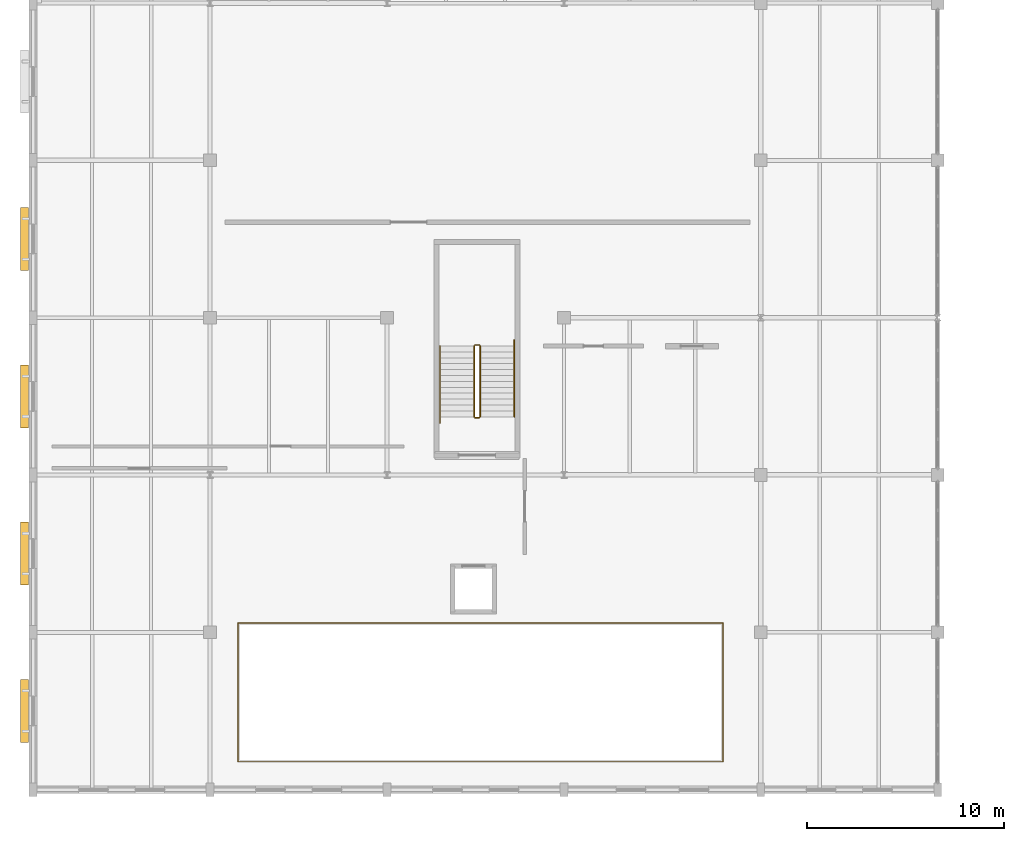
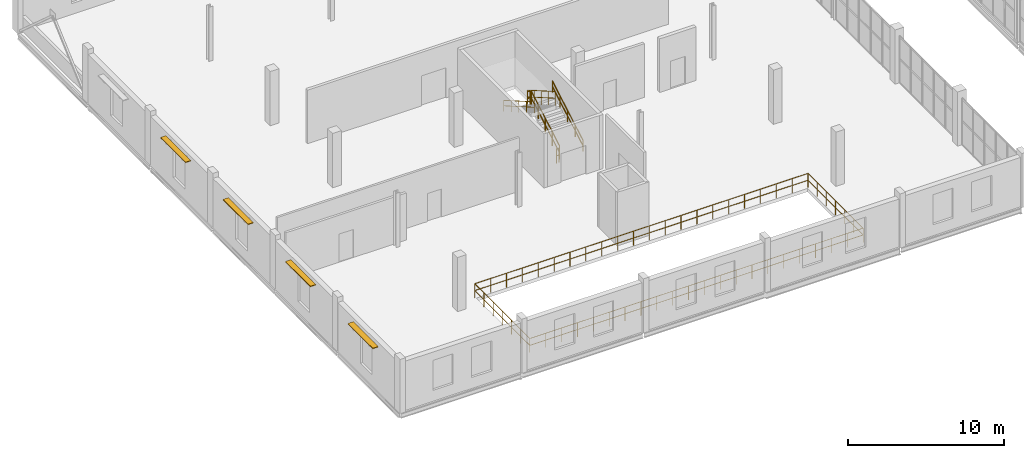
# One storey, part 74 of 85: 7 railings, 4 shading devices.
"""IFC4 building model written with IfcOpenShell, lengths in metres."""

from ifc_helpers import new_model, si_unit, direction, frame, origin, origin_2d, place, context, subcontext, project, spatial, rectangle, circle, extrude, material, layer, layer_set, type_object, element, save


model = new_model("IFC4")

# Units and contexts
model_context = context("Model", 3, precision=1e-05, world=origin(), true_north=direction((0.0, 1.0)))
body_context = subcontext(model_context, "Body", "Model", "MODEL_VIEW")
ifc_project = project(units=[si_unit("LENGTHUNIT", "METRE"), si_unit("AREAUNIT", "SQUARE_METRE"), si_unit("VOLUMEUNIT", "CUBIC_METRE"), si_unit("PLANEANGLEUNIT", "RADIAN"), si_unit("MASSUNIT", "GRAM", prefix="KILO")], contexts=[model_context])

# Site, building, storey
site_placement = place(None, origin())
site = spatial("IfcSite", under=ifc_project, at=site_placement, CompositionType="ELEMENT")
building_placement = place(site_placement, origin())
building = spatial("IfcBuilding", under=site, at=building_placement, Name="Marnock Terrace Opera House", CompositionType="ELEMENT")
storey_placement = place(building_placement, frame((0.0, 0.0, 10.199951171875)))
storey = spatial("IfcBuildingStorey", under=building, at=storey_placement, Name="L02", CompositionType="ELEMENT", Elevation=10.199951171875)

# Railings
ifc_material_1 = material(Name="Architectural bronze balustrade")
railing_type_1 = type_object("IfcRailingType", Name="RL-ATRIUM-1120", PredefinedType="BALUSTRADE", material=ifc_material_1)
railing_1_placement = place(storey_placement, frame((10.419921875, 9.419921875, 0.0)))
element("IfcRailing", 1, at=railing_1_placement, inside=storey, type_object=railing_type_1, Name="L02 floor opening balustrade CHAM-VOID-1", PredefinedType="BALUSTRADE", context=body_context, shape_type="SweptSolid", body=[
    extrude(circle(Radius=0.02392578125, at=origin_2d()), frame((0.0, 0.0, 1.09619140625), z_axis=(1.0, 0.0, 0.0), x_axis=(0.0, 1.0, 0.0)), (0.0, 0.0, 1.0), 24.66015625),
    extrude(circle(Radius=0.02392578125, at=origin_2d()), frame((0.0, 0.0, 0.56005859375), z_axis=(1.0, 0.0, 0.0), x_axis=(0.0, 1.0, 0.0)), (0.0, 0.0, 1.0), 24.66015625),
    extrude(circle(Radius=0.02392578125, at=origin_2d()), frame((24.66015625, 0.0, 1.09619140625), z_axis=(0.0, 1.0, 0.0), x_axis=(-1.0, 0.0, 0.0)), (0.0, 0.0, 1.0), 7.06005859375),
    extrude(circle(Radius=0.02392578125, at=origin_2d()), frame((24.66015625, 0.0, 0.56005859375), z_axis=(0.0, 1.0, 0.0), x_axis=(-1.0, 0.0, 0.0)), (0.0, 0.0, 1.0), 7.06005859375),
    extrude(circle(Radius=0.02392578125, at=origin_2d()), frame((24.66015625, 7.06005859375, 1.09619140625), z_axis=(-1.0, 0.0, 0.0), x_axis=(0.0, -1.0, 0.0)), (0.0, 0.0, 1.0), 24.66015625),
    extrude(circle(Radius=0.02392578125, at=origin_2d()), frame((24.66015625, 7.06005859375, 0.56005859375), z_axis=(-1.0, 0.0, 0.0), x_axis=(0.0, -1.0, 0.0)), (0.0, 0.0, 1.0), 24.66015625),
    extrude(circle(Radius=0.02392578125, at=origin_2d()), frame((0.0, 7.06005859375, 1.09619140625), z_axis=(0.0, -1.0, 0.0), x_axis=(1.0, 0.0, 0.0)), (0.0, 0.0, 1.0), 7.06005859375),
    extrude(circle(Radius=0.02392578125, at=origin_2d()), frame((0.0, 7.06005859375, 0.56005859375), z_axis=(0.0, -1.0, 0.0), x_axis=(1.0, 0.0, 0.0)), (0.0, 0.0, 1.0), 7.06005859375),
    extrude(circle(Radius=0.02099609375, at=origin_2d()), origin(), (0.0, 0.0, 1.0), 1.072021484375),
    extrude(circle(Radius=0.02099609375, at=origin_2d()), frame((1.17431640625, 0.0, 0.0)), (0.0, 0.0, 1.0), 1.072021484375),
    extrude(circle(Radius=0.02099609375, at=origin_2d()), frame((2.3486328125, 0.0, 0.0)), (0.0, 0.0, 1.0), 1.072021484375),
    extrude(circle(Radius=0.02099609375, at=origin_2d()), frame((3.52294921875, 0.0, 0.0)), (0.0, 0.0, 1.0), 1.072021484375),
    extrude(circle(Radius=0.02099609375, at=origin_2d()), frame((4.697265625, 0.0, 0.0)), (0.0, 0.0, 1.0), 1.072021484375),
    extrude(circle(Radius=0.02099609375, at=origin_2d()), frame((5.87158203125, 0.0, 0.0)), (0.0, 0.0, 1.0), 1.072021484375),
    extrude(circle(Radius=0.02099609375, at=origin_2d()), frame((7.045654296875, 0.0, 0.0)), (0.0, 0.0, 1.0), 1.072021484375),
    extrude(circle(Radius=0.02099609375, at=origin_2d()), frame((8.219970703125, 0.0, 0.0)), (0.0, 0.0, 1.0), 1.072021484375),
    extrude(circle(Radius=0.02099609375, at=origin_2d()), frame((9.394287109375, 0.0, 0.0)), (0.0, 0.0, 1.0), 1.072021484375),
    extrude(circle(Radius=0.02099609375, at=origin_2d()), frame((10.568603515625, 0.0, 0.0)), (0.0, 0.0, 1.0), 1.072021484375),
    extrude(circle(Radius=0.02099609375, at=origin_2d()), frame((11.742919921875, 0.0, 0.0)), (0.0, 0.0, 1.0), 1.072021484375),
    extrude(circle(Radius=0.02099609375, at=origin_2d()), frame((12.917236328125, 0.0, 0.0)), (0.0, 0.0, 1.0), 1.072021484375),
    extrude(circle(Radius=0.02099609375, at=origin_2d()), frame((14.091552734375, 0.0, 0.0)), (0.0, 0.0, 1.0), 1.072021484375),
    extrude(circle(Radius=0.02099609375, at=origin_2d()), frame((15.265869140625, 0.0, 0.0)), (0.0, 0.0, 1.0), 1.072021484375),
    extrude(circle(Radius=0.02099609375, at=origin_2d()), frame((16.440185546875, 0.0, 0.0)), (0.0, 0.0, 1.0), 1.072021484375),
    extrude(circle(Radius=0.02099609375, at=origin_2d()), frame((17.614501953125, 0.0, 0.0)), (0.0, 0.0, 1.0), 1.072021484375),
    extrude(circle(Radius=0.02099609375, at=origin_2d()), frame((18.78857421875, 0.0, 0.0)), (0.0, 0.0, 1.0), 1.072021484375),
    extrude(circle(Radius=0.02099609375, at=origin_2d()), frame((19.962890625, 0.0, 0.0)), (0.0, 0.0, 1.0), 1.072021484375),
    extrude(circle(Radius=0.02099609375, at=origin_2d()), frame((21.13720703125, 0.0, 0.0)), (0.0, 0.0, 1.0), 1.072021484375),
    extrude(circle(Radius=0.02099609375, at=origin_2d()), frame((22.3115234375, 0.0, 0.0)), (0.0, 0.0, 1.0), 1.072021484375),
    extrude(circle(Radius=0.02099609375, at=origin_2d()), frame((23.48583984375, 0.0, 0.0)), (0.0, 0.0, 1.0), 1.072021484375),
    extrude(circle(Radius=0.02099609375, at=origin_2d()), frame((24.66015625, 0.0, 0.0)), (0.0, 0.0, 1.0), 1.072021484375),
    extrude(circle(Radius=0.02099609375, at=origin_2d()), frame((24.66015625, 1.1767578125, 0.0)), (0.0, 0.0, 1.0), 1.072021484375),
    extrude(circle(Radius=0.02099609375, at=origin_2d()), frame((24.66015625, 2.353271484375, 0.0)), (0.0, 0.0, 1.0), 1.072021484375),
    extrude(circle(Radius=0.02099609375, at=origin_2d()), frame((24.66015625, 3.530029296875, 0.0)), (0.0, 0.0, 1.0), 1.072021484375),
    extrude(circle(Radius=0.02099609375, at=origin_2d()), frame((24.66015625, 4.706787109375, 0.0)), (0.0, 0.0, 1.0), 1.072021484375),
    extrude(circle(Radius=0.02099609375, at=origin_2d()), frame((24.66015625, 5.88330078125, 0.0)), (0.0, 0.0, 1.0), 1.072021484375),
    extrude(circle(Radius=0.02099609375, at=origin_2d()), frame((24.66015625, 7.06005859375, 0.0)), (0.0, 0.0, 1.0), 1.072021484375),
    extrude(circle(Radius=0.02099609375, at=origin_2d()), frame((23.48583984375, 7.06005859375, 0.0)), (0.0, 0.0, 1.0), 1.072021484375),
    extrude(circle(Radius=0.02099609375, at=origin_2d()), frame((22.3115234375, 7.06005859375, 0.0)), (0.0, 0.0, 1.0), 1.072021484375),
    extrude(circle(Radius=0.02099609375, at=origin_2d()), frame((21.13720703125, 7.06005859375, 0.0)), (0.0, 0.0, 1.0), 1.072021484375),
    extrude(circle(Radius=0.02099609375, at=origin_2d()), frame((19.962890625, 7.06005859375, 0.0)), (0.0, 0.0, 1.0), 1.072021484375),
    extrude(circle(Radius=0.02099609375, at=origin_2d()), frame((18.78857421875, 7.06005859375, 0.0)), (0.0, 0.0, 1.0), 1.072021484375),
    extrude(circle(Radius=0.02099609375, at=origin_2d()), frame((17.614501953125, 7.06005859375, 0.0)), (0.0, 0.0, 1.0), 1.072021484375),
    extrude(circle(Radius=0.02099609375, at=origin_2d()), frame((16.440185546875, 7.06005859375, 0.0)), (0.0, 0.0, 1.0), 1.072021484375),
    extrude(circle(Radius=0.02099609375, at=origin_2d()), frame((15.265869140625, 7.06005859375, 0.0)), (0.0, 0.0, 1.0), 1.072021484375),
    extrude(circle(Radius=0.02099609375, at=origin_2d()), frame((14.091552734375, 7.06005859375, 0.0)), (0.0, 0.0, 1.0), 1.072021484375),
    extrude(circle(Radius=0.02099609375, at=origin_2d()), frame((12.917236328125, 7.06005859375, 0.0)), (0.0, 0.0, 1.0), 1.072021484375),
    extrude(circle(Radius=0.02099609375, at=origin_2d()), frame((11.742919921875, 7.06005859375, 0.0)), (0.0, 0.0, 1.0), 1.072021484375),
    extrude(circle(Radius=0.02099609375, at=origin_2d()), frame((10.568603515625, 7.06005859375, 0.0)), (0.0, 0.0, 1.0), 1.072021484375),
    extrude(circle(Radius=0.02099609375, at=origin_2d()), frame((9.394287109375, 7.06005859375, 0.0)), (0.0, 0.0, 1.0), 1.072021484375),
    extrude(circle(Radius=0.02099609375, at=origin_2d()), frame((8.219970703125, 7.06005859375, 0.0)), (0.0, 0.0, 1.0), 1.072021484375),
    extrude(circle(Radius=0.02099609375, at=origin_2d()), frame((7.045654296875, 7.06005859375, 0.0)), (0.0, 0.0, 1.0), 1.072021484375),
    extrude(circle(Radius=0.02099609375, at=origin_2d()), frame((5.87158203125, 7.06005859375, 0.0)), (0.0, 0.0, 1.0), 1.072021484375),
    extrude(circle(Radius=0.02099609375, at=origin_2d()), frame((4.697265625, 7.06005859375, 0.0)), (0.0, 0.0, 1.0), 1.072021484375),
    extrude(circle(Radius=0.02099609375, at=origin_2d()), frame((3.52294921875, 7.06005859375, 0.0)), (0.0, 0.0, 1.0), 1.072021484375),
    extrude(circle(Radius=0.02099609375, at=origin_2d()), frame((2.3486328125, 7.06005859375, 0.0)), (0.0, 0.0, 1.0), 1.072021484375),
    extrude(circle(Radius=0.02099609375, at=origin_2d()), frame((1.17431640625, 7.06005859375, 0.0)), (0.0, 0.0, 1.0), 1.072021484375),
    extrude(circle(Radius=0.02099609375, at=origin_2d()), frame((0.0, 7.06005859375, 0.0)), (0.0, 0.0, 1.0), 1.072021484375),
    extrude(circle(Radius=0.02099609375, at=origin_2d()), frame((0.0, 5.88330078125, 0.0)), (0.0, 0.0, 1.0), 1.072021484375),
    extrude(circle(Radius=0.02099609375, at=origin_2d()), frame((0.0, 4.706787109375, 0.0)), (0.0, 0.0, 1.0), 1.072021484375),
    extrude(circle(Radius=0.02099609375, at=origin_2d()), frame((0.0, 3.530029296875, 0.0)), (0.0, 0.0, 1.0), 1.072021484375),
    extrude(circle(Radius=0.02099609375, at=origin_2d()), frame((0.0, 2.353271484375, 0.0)), (0.0, 0.0, 1.0), 1.072021484375),
    extrude(circle(Radius=0.02099609375, at=origin_2d()), frame((0.0, 1.1767578125, 0.0)), (0.0, 0.0, 1.0), 1.072021484375),
])
railing_type_2 = type_object("IfcRailingType", Name="RL-GUARD-1100", PredefinedType="GUARDRAIL", material=ifc_material_1)
railing_2_placement = place(storey_placement, frame((22.72998046875, 26.9599609375, 0.173095703125)))
element("IfcRailing", 2, at=railing_2_placement, inside=storey, type_object=railing_type_2, Name="L02 ST-05 stair guard 1", PredefinedType="GUARDRAIL", context=body_context, shape_type="SweptSolid", body=[
    extrude(circle(Radius=0.02392578125, at=origin_2d()), frame((0.0, 0.0, 1.076171875), z_axis=(0.0, 0.866193409371, 0.499708892819), x_axis=(-1.0, 0.0, 0.0)), (0.0, 0.0, 1.0), 4.15625),
    extrude(circle(Radius=0.02392578125, at=origin_2d()), frame((0.0, 0.0, 0.550048828125), z_axis=(0.0, 0.866193409371, 0.499708892819), x_axis=(-1.0, 0.0, 0.0)), (0.0, 0.0, 1.0), 4.15625),
    extrude(circle(Radius=0.02099609375, at=origin_2d()), origin(), (0.0, 0.0, 1.0), 1.052001953125),
    extrude(circle(Radius=0.02099609375, at=origin_2d()), frame((0.0, 0.89990234375, 0.519287109375)), (0.0, 0.0, 1.0), 1.052001953125),
    extrude(circle(Radius=0.02099609375, at=origin_2d()), frame((0.0, 1.800048828125, 1.03857421875)), (0.0, 0.0, 1.0), 1.052001953125),
    extrude(circle(Radius=0.02099609375, at=origin_2d()), frame((0.0, 2.7001953125, 1.5576171875)), (0.0, 0.0, 1.0), 1.052001953125),
    extrude(circle(Radius=0.02099609375, at=origin_2d()), frame((0.0, 3.60009765625, 2.076904296875)), (0.0, 0.0, 1.0), 1.052001953125),
])
railing_3_placement = place(storey_placement, frame((22.679931640625, 30.610107421875, 2.25)))
element("IfcRailing", 3, at=railing_3_placement, inside=storey, type_object=railing_type_2, Name="L02 ST-05 stair guard 2", PredefinedType="GUARDRAIL", context=body_context, shape_type="SweptSolid", body=[
    extrude(circle(Radius=0.02392578125, at=origin_2d()), frame((0.0, 0.0, 1.076171875), z_axis=(-1.0, 0.0, 0.0), x_axis=(0.0, -1.0, 0.0)), (0.0, 0.0, 1.0), 0.199951171875),
    extrude(circle(Radius=0.02392578125, at=origin_2d()), frame((0.0, 0.0, 0.550048828125), z_axis=(-1.0, 0.0, 0.0), x_axis=(0.0, -1.0, 0.0)), (0.0, 0.0, 1.0), 0.199951171875),
    extrude(circle(Radius=0.02099609375, at=origin_2d()), origin(), (0.0, 0.0, 1.0), 1.052001953125),
    extrude(circle(Radius=0.02099609375, at=origin_2d()), frame((-0.199951171875, 0.0, 0.0)), (0.0, 0.0, 1.0), 1.052001953125),
])
railing_4_placement = place(storey_placement, frame((22.429931640625, 30.56005859375, 2.423095703125)))
element("IfcRailing", 4, at=railing_4_placement, inside=storey, type_object=railing_type_2, Name="L02 ST-05 stair guard 3", PredefinedType="GUARDRAIL", context=body_context, shape_type="SweptSolid", body=[
    extrude(circle(Radius=0.02392578125, at=origin_2d()), frame((0.0, 0.0, 1.076171875), z_axis=(0.0, -0.866193409371, 0.499708892819), x_axis=(1.0, 0.0, 0.0)), (0.0, 0.0, 1.0), 4.15625),
    extrude(circle(Radius=0.02392578125, at=origin_2d()), frame((0.0, 0.0, 0.550048828125), z_axis=(0.0, -0.866193409371, 0.499708892819), x_axis=(1.0, 0.0, 0.0)), (0.0, 0.0, 1.0), 4.15625),
    extrude(circle(Radius=0.02099609375, at=origin_2d()), origin(), (0.0, 0.0, 1.0), 1.052001953125),
    extrude(circle(Radius=0.02099609375, at=origin_2d()), frame((0.0, -0.89990234375, 0.519287109375)), (0.0, 0.0, 1.0), 1.052001953125),
    extrude(circle(Radius=0.02099609375, at=origin_2d()), frame((0.0, -1.800048828125, 1.03857421875)), (0.0, 0.0, 1.0), 1.052001953125),
    extrude(circle(Radius=0.02099609375, at=origin_2d()), frame((0.0, -2.7001953125, 1.5576171875)), (0.0, 0.0, 1.0), 1.052001953125),
    extrude(circle(Radius=0.02099609375, at=origin_2d()), frame((0.0, -3.60009765625, 2.076904296875)), (0.0, 0.0, 1.0), 1.052001953125),
])
railing_5_placement = place(storey_placement, frame((22.679931640625, 26.909912109375, 0.0)))
element("IfcRailing", 5, at=railing_5_placement, inside=storey, type_object=railing_type_2, Name="L02 ST-05 stair guard 4", PredefinedType="GUARDRAIL", context=body_context, shape_type="SweptSolid", body=[
    extrude(circle(Radius=0.02392578125, at=origin_2d()), frame((0.0, 0.0, 1.076171875), z_axis=(-1.0, 0.0, 0.0), x_axis=(0.0, -1.0, 0.0)), (0.0, 0.0, 1.0), 0.199951171875),
    extrude(circle(Radius=0.02392578125, at=origin_2d()), frame((0.0, 0.0, 0.550048828125), z_axis=(-1.0, 0.0, 0.0), x_axis=(0.0, -1.0, 0.0)), (0.0, 0.0, 1.0), 0.199951171875),
    extrude(circle(Radius=0.02099609375, at=origin_2d()), origin(), (0.0, 0.0, 1.0), 1.052001953125),
    extrude(circle(Radius=0.02099609375, at=origin_2d()), frame((-0.199951171875, 0.0, 0.0)), (0.0, 0.0, 1.0), 1.052001953125),
])
railing_type_3 = type_object("IfcRailingType", Name="RL-HAND-900", PredefinedType="HANDRAIL", material=ifc_material_1)
railing_6_placement = place(storey_placement, frame((24.469970703125, 26.9599609375, 0.18505859375)))
element("IfcRailing", 6, at=railing_6_placement, inside=storey, type_object=railing_type_3, Name="L02 ST-05 stair handrail 1", PredefinedType="HANDRAIL", context=body_context, shape_type="SweptSolid", body=[
    extrude(circle(Radius=0.02392578125, at=origin_2d()), frame((0.0, 0.0, 0.8759765625), z_axis=(0.0, 0.866193710181, 0.499708371395), x_axis=(-1.0, 0.0, 0.0)), (0.0, 0.0, 1.0), 4.502685546875),
    extrude(circle(Radius=0.02392578125, at=origin_2d()), frame((0.0, 0.0, 0.449951171875), z_axis=(0.0, 0.866193710181, 0.499708371395), x_axis=(-1.0, 0.0, 0.0)), (0.0, 0.0, 1.0), 4.502685546875),
    extrude(circle(Radius=0.02099609375, at=origin_2d()), origin(), (0.0, 0.0, 1.0), 0.851806640625),
    extrude(circle(Radius=0.02099609375, at=origin_2d()), frame((0.0, 0.97509765625, 0.5625)), (0.0, 0.0, 1.0), 0.851806640625),
    extrude(circle(Radius=0.02099609375, at=origin_2d()), frame((0.0, 1.9501953125, 1.125)), (0.0, 0.0, 1.0), 0.851806640625),
    extrude(circle(Radius=0.02099609375, at=origin_2d()), frame((0.0, 2.925048828125, 1.6875)), (0.0, 0.0, 1.0), 0.851806640625),
    extrude(circle(Radius=0.02099609375, at=origin_2d()), frame((0.0, 3.900146484375, 2.25)), (0.0, 0.0, 1.0), 0.851806640625),
])
railing_7_placement = place(storey_placement, frame((20.68994140625, 30.56005859375, 2.43505859375)))
element("IfcRailing", 7, at=railing_7_placement, inside=storey, type_object=railing_type_3, Name="L02 ST-05 stair handrail 2", PredefinedType="HANDRAIL", context=body_context, shape_type="SweptSolid", body=[
    extrude(circle(Radius=0.02392578125, at=origin_2d()), frame((0.0, 0.0, 0.8759765625), z_axis=(0.0, -0.866193710181, 0.499708371395), x_axis=(1.0, 0.0, 0.0)), (0.0, 0.0, 1.0), 4.502685546875),
    extrude(circle(Radius=0.02392578125, at=origin_2d()), frame((0.0, 0.0, 0.449951171875), z_axis=(0.0, -0.866193710181, 0.499708371395), x_axis=(1.0, 0.0, 0.0)), (0.0, 0.0, 1.0), 4.502685546875),
    extrude(circle(Radius=0.02099609375, at=origin_2d()), origin(), (0.0, 0.0, 1.0), 0.851806640625),
    extrude(circle(Radius=0.02099609375, at=origin_2d()), frame((0.0, -0.97509765625, 0.5625)), (0.0, 0.0, 1.0), 0.851806640625),
    extrude(circle(Radius=0.02099609375, at=origin_2d()), frame((0.0, -1.9501953125, 1.125)), (0.0, 0.0, 1.0), 0.851806640625),
    extrude(circle(Radius=0.02099609375, at=origin_2d()), frame((0.0, -2.925048828125, 1.6875)), (0.0, 0.0, 1.0), 0.851806640625),
    extrude(circle(Radius=0.02099609375, at=origin_2d()), frame((0.0, -3.900146484375, 2.25)), (0.0, 0.0, 1.0), 0.851806640625),
])

# Shading devices
ifc_material_2 = material(Name="Architectural cast bronze")
ifc_layer = layer(ifc_material_2, 0.050048828125)
ifc_layer_set = layer_set([ifc_layer], Name="Architectural cast bronze")
shading_device_type = type_object("IfcShadingDeviceType", Name="SHD-LOUVRE-3200", PredefinedType="JALOUSIE", material=ifc_layer_set)
for number, where, z_axis, x_axis, name in (
    (8, (-0.43505859375, 12.0, 3.556640625), (0.0, 0.0, 1.0), (0.0, 1.0, 0.0), "Adelaide sun-control bronze brise-soleil EW-V3W-L02-1"),
    (9, (-0.43505859375, 20.0, 3.556640625), (0.0, 0.0, 1.0), (0.0, 1.0, 0.0), "Adelaide sun-control bronze brise-soleil EW-V3W-L02-2"),
    (10, (-0.43505859375, 28.0, 3.556640625), (0.0, 0.0, 1.0), (0.0, 1.0, 0.0), "Adelaide sun-control bronze brise-soleil EW-V3W-L02-3"),
    (11, (-0.43505859375, 36.0, 3.556640625), (0.0, 0.0, 1.0), (0.0, 1.0, 0.0), "Adelaide sun-control bronze brise-soleil EW-V3W-L02-4"),
):
    element("IfcShadingDevice", number, at=place(storey_placement, frame(where, z_axis=z_axis, x_axis=x_axis)), inside=storey, type_object=shading_device_type, Name=name, PredefinedType="JALOUSIE", context=body_context, shape_type="SweptSolid", body=[
        extrude(rectangle(XDim=3.199951171875, YDim=0.39990234375, at=origin_2d()), origin(), (0.0, 0.0, 1.0), 0.050048828125),
    ])

save(model, "model.ifc")
